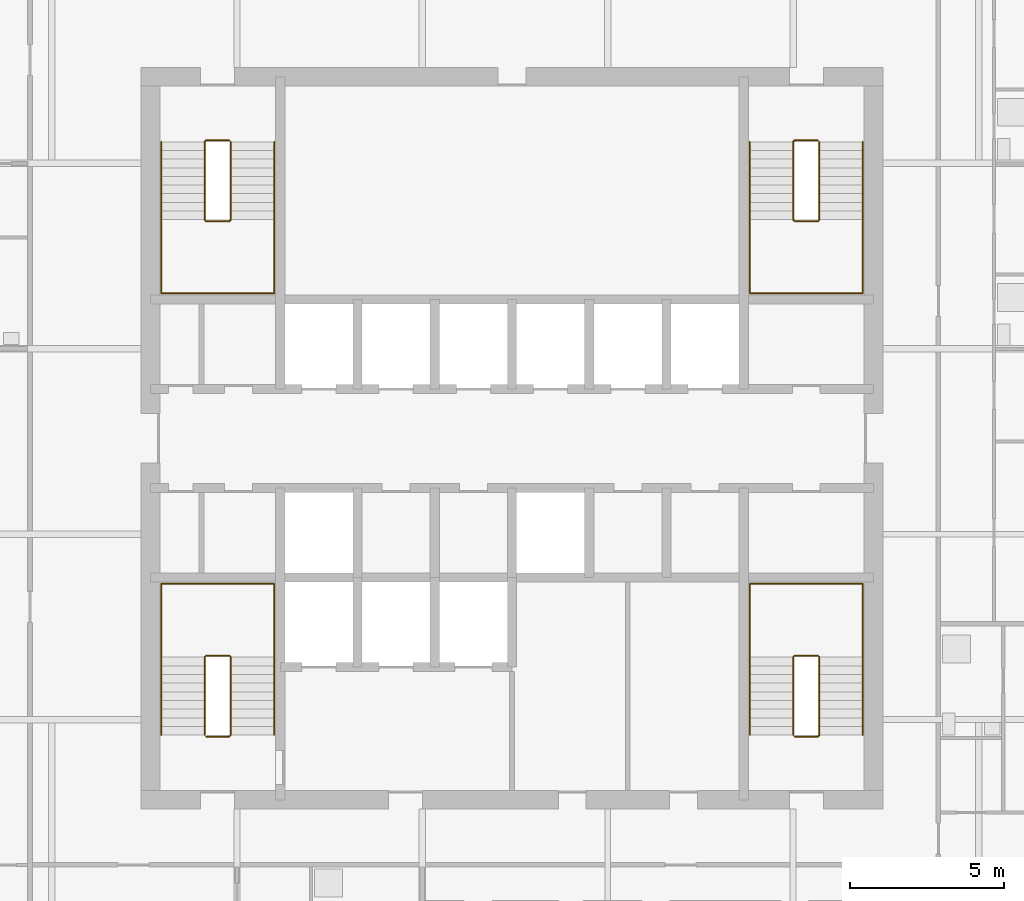
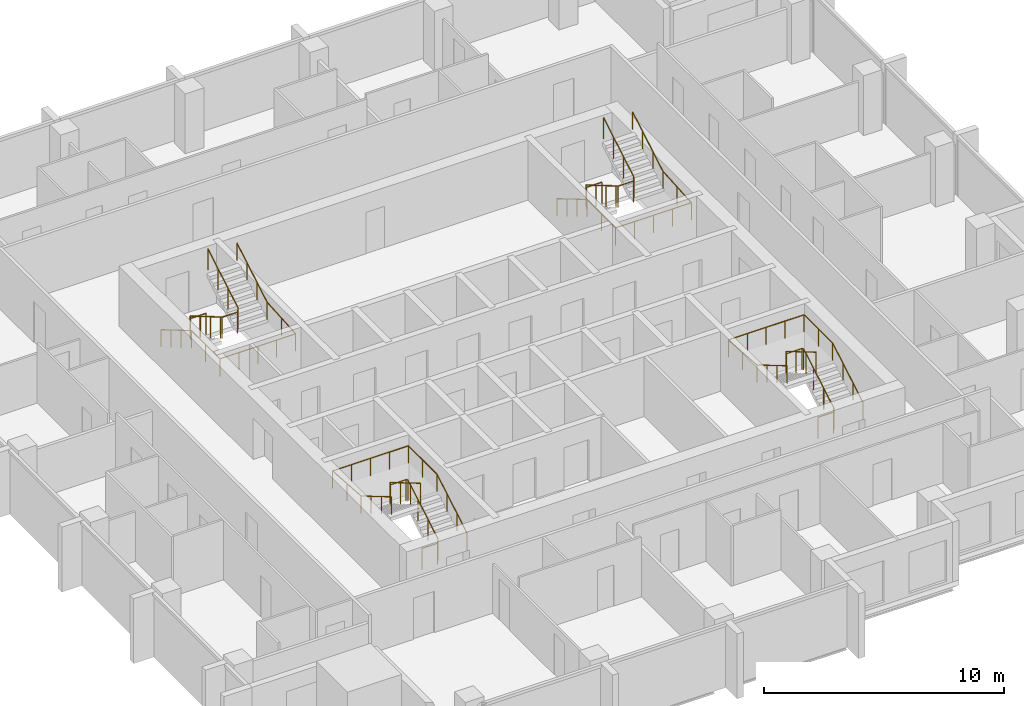
# One storey, part 9 of 10: 8 railings.
"""IFC4 building model written with IfcOpenShell, lengths in metres."""

from ifc_helpers import new_model, si_unit, direction, frame, origin, origin_2d, place, context, subcontext, project, spatial, circle, extrude, material, type_object, element, save


model = new_model("IFC4")

# Units and contexts
model_context = context("Model", 3, precision=1e-05, world=origin(), true_north=direction((0.0, 1.0)))
body_context = subcontext(model_context, "Body", "Model", "MODEL_VIEW")
ifc_project = project(units=[si_unit("LENGTHUNIT", "METRE"), si_unit("AREAUNIT", "SQUARE_METRE"), si_unit("VOLUMEUNIT", "CUBIC_METRE"), si_unit("PLANEANGLEUNIT", "RADIAN"), si_unit("MASSUNIT", "GRAM", prefix="KILO")], contexts=[model_context])

# Site, building, storey
site_placement = place(None, origin())
site = spatial("IfcSite", under=ifc_project, at=site_placement, CompositionType="ELEMENT")
building_placement = place(site_placement, origin())
building = spatial("IfcBuilding", under=site, at=building_placement, Name="Amberfall Residences", CompositionType="ELEMENT")
storey_placement = place(building_placement, frame((0.0, 0.0, 190.300048828125)))
storey = spatial("IfcBuildingStorey", under=building, at=storey_placement, Name="L50", CompositionType="ELEMENT", Elevation=190.300048828125)

# Railings
ifc_material = material(Name="Stainless steel 316", Category="steel")
railing_type_1 = type_object("IfcRailingType", Name="Stair guard 1100", PredefinedType="GUARDRAIL", material=ifc_material)
railing_1_placement = place(storey_placement, frame((64.60009765625, 35.85009765625, 0.0)))
element("IfcRailing", 1, at=railing_1_placement, inside=storey, type_object=railing_type_1, Name="L50 stair 1 guard", PredefinedType="GUARDRAIL", context=body_context, shape_type="SweptSolid", body=[
    extrude(circle(Radius=0.02392578125, at=origin_2d()), frame((0.0, 0.0, 1.076171875), z_axis=(1.0, 0.0, 0.0), x_axis=(0.0, 1.0, 0.0)), (0.0, 0.0, 1.0), 0.75),
    extrude(circle(Radius=0.02392578125, at=origin_2d()), frame((0.75, 0.0, 1.076171875), z_axis=(0.27755538755, 0.27755538755, 0.919742362667), x_axis=(-0.707106781187, 0.707106781187, 0.0)), (0.0, 0.0, 1.0), 0.179443359375),
    extrude(circle(Radius=0.02392578125, at=origin_2d()), frame((0.7998046875, 0.0498046875, 1.2412109375), z_axis=(0.0, 0.861560626758, 0.507654692109), x_axis=(-1.0, 0.0, 0.0)), (0.0, 0.0, 1.0), 2.925048828125),
    extrude(circle(Radius=0.02392578125, at=origin_2d()), frame((0.7998046875, 2.56982421875, 2.72607421875), z_axis=(-0.705375805398, 0.708833529934, 0.0), x_axis=(-0.708833529934, -0.705375805398, 0.0)), (0.0, 0.0, 1.0), 0.070556640625),
    extrude(circle(Radius=0.02392578125, at=origin_2d()), frame((0.75, 2.619873046875, 2.72607421875), z_axis=(-1.0, 0.0, 0.0), x_axis=(0.0, -1.0, 0.0)), (0.0, 0.0, 1.0), 0.75),
    extrude(circle(Radius=0.02392578125, at=origin_2d()), frame((0.0, 2.619873046875, 2.72607421875), z_axis=(-0.278705021027, -0.278705021027, 0.919046801044), x_axis=(0.707106781187, -0.707106781187, 0.0)), (0.0, 0.0, 1.0), 0.1796875),
    extrude(circle(Radius=0.02392578125, at=origin_2d()), frame((-0.050048828125, 2.56982421875, 2.89111328125), z_axis=(0.0, -0.86152411907, 0.507716645641), x_axis=(1.0, 0.0, 0.0)), (0.0, 0.0, 1.0), 2.925048828125),
    extrude(circle(Radius=0.02099609375, at=origin_2d()), origin(), (0.0, 0.0, 1.0), 1.052001953125),
    extrude(circle(Radius=0.02099609375, at=origin_2d()), frame((0.75, 0.0, 0.0)), (0.0, 0.0, 1.0), 1.052001953125),
    extrude(circle(Radius=0.02099609375, at=origin_2d()), frame((0.7998046875, 0.0498046875, 0.1650390625)), (0.0, 0.0, 1.0), 1.052001953125),
    extrude(circle(Radius=0.02099609375, at=origin_2d()), frame((0.7998046875, 0.889892578125, 0.659912109375)), (0.0, 0.0, 1.0), 1.052001953125),
    extrude(circle(Radius=0.02099609375, at=origin_2d()), frame((0.7998046875, 1.729736328125, 1.155029296875)), (0.0, 0.0, 1.0), 1.052001953125),
    extrude(circle(Radius=0.02099609375, at=origin_2d()), frame((0.7998046875, 2.56982421875, 1.64990234375)), (0.0, 0.0, 1.0), 1.052001953125),
    extrude(circle(Radius=0.02099609375, at=origin_2d()), frame((0.75, 2.619873046875, 1.64990234375)), (0.0, 0.0, 1.0), 1.052001953125),
    extrude(circle(Radius=0.02099609375, at=origin_2d()), frame((0.0, 2.619873046875, 1.64990234375)), (0.0, 0.0, 1.0), 1.052001953125),
    extrude(circle(Radius=0.02099609375, at=origin_2d()), frame((-0.050048828125, 2.56982421875, 1.81494140625)), (0.0, 0.0, 1.0), 1.052001953125),
    extrude(circle(Radius=0.02099609375, at=origin_2d()), frame((-0.050048828125, 1.729736328125, 2.31005859375)), (0.0, 0.0, 1.0), 1.052001953125),
    extrude(circle(Radius=0.02099609375, at=origin_2d()), frame((-0.050048828125, 0.889892578125, 2.804931640625)), (0.0, 0.0, 1.0), 1.052001953125),
    extrude(circle(Radius=0.02099609375, at=origin_2d()), frame((-0.050048828125, 0.0498046875, 3.300048828125)), (0.0, 0.0, 1.0), 1.052001953125),
])
railing_2_placement = place(storey_placement, frame((83.64990234375, 35.85009765625, 0.0)))
element("IfcRailing", 2, at=railing_2_placement, inside=storey, type_object=railing_type_1, Name="L50 stair 2 guard", PredefinedType="GUARDRAIL", context=body_context, shape_type="SweptSolid", body=[
    extrude(circle(Radius=0.02392578125, at=origin_2d()), frame((0.0, 0.0, 1.076171875), z_axis=(1.0, 0.0, 0.0), x_axis=(0.0, 1.0, 0.0)), (0.0, 0.0, 1.0), 0.75),
    extrude(circle(Radius=0.02392578125, at=origin_2d()), frame((0.75, 0.0, 1.076171875), z_axis=(0.278810427259, 0.277450376394, 0.919394384522), x_axis=(-0.705375805398, 0.708833529934, 0.0)), (0.0, 0.0, 1.0), 0.179443359375),
    extrude(circle(Radius=0.02392578125, at=origin_2d()), frame((0.800048828125, 0.0498046875, 1.2412109375), z_axis=(0.0, 0.861560626758, 0.507654692109), x_axis=(-1.0, 0.0, 0.0)), (0.0, 0.0, 1.0), 2.925048828125),
    extrude(circle(Radius=0.02392578125, at=origin_2d()), frame((0.800048828125, 2.56982421875, 2.72607421875), z_axis=(-0.707106781187, 0.707106781187, 0.0), x_axis=(-0.707106781187, -0.707106781187, 0.0)), (0.0, 0.0, 1.0), 0.07080078125),
    extrude(circle(Radius=0.02392578125, at=origin_2d()), frame((0.75, 2.619873046875, 2.72607421875), z_axis=(-1.0, 0.0, 0.0), x_axis=(0.0, -1.0, 0.0)), (0.0, 0.0, 1.0), 0.75),
    extrude(circle(Radius=0.02392578125, at=origin_2d()), frame((0.0, 2.619873046875, 2.72607421875), z_axis=(-0.277450376394, -0.278810427259, 0.919394384522), x_axis=(0.708833529934, -0.705375805398, 0.0)), (0.0, 0.0, 1.0), 0.179443359375),
    extrude(circle(Radius=0.02392578125, at=origin_2d()), frame((-0.0498046875, 2.56982421875, 2.89111328125), z_axis=(0.0, -0.86152411907, 0.507716645641), x_axis=(1.0, 0.0, 0.0)), (0.0, 0.0, 1.0), 2.925048828125),
    extrude(circle(Radius=0.02099609375, at=origin_2d()), origin(), (0.0, 0.0, 1.0), 1.052001953125),
    extrude(circle(Radius=0.02099609375, at=origin_2d()), frame((0.75, 0.0, 0.0)), (0.0, 0.0, 1.0), 1.052001953125),
    extrude(circle(Radius=0.02099609375, at=origin_2d()), frame((0.800048828125, 0.0498046875, 0.1650390625)), (0.0, 0.0, 1.0), 1.052001953125),
    extrude(circle(Radius=0.02099609375, at=origin_2d()), frame((0.800048828125, 0.889892578125, 0.659912109375)), (0.0, 0.0, 1.0), 1.052001953125),
    extrude(circle(Radius=0.02099609375, at=origin_2d()), frame((0.800048828125, 1.729736328125, 1.155029296875)), (0.0, 0.0, 1.0), 1.052001953125),
    extrude(circle(Radius=0.02099609375, at=origin_2d()), frame((0.800048828125, 2.56982421875, 1.64990234375)), (0.0, 0.0, 1.0), 1.052001953125),
    extrude(circle(Radius=0.02099609375, at=origin_2d()), frame((0.75, 2.619873046875, 1.64990234375)), (0.0, 0.0, 1.0), 1.052001953125),
    extrude(circle(Radius=0.02099609375, at=origin_2d()), frame((0.0, 2.619873046875, 1.64990234375)), (0.0, 0.0, 1.0), 1.052001953125),
    extrude(circle(Radius=0.02099609375, at=origin_2d()), frame((-0.0498046875, 2.56982421875, 1.81494140625)), (0.0, 0.0, 1.0), 1.052001953125),
    extrude(circle(Radius=0.02099609375, at=origin_2d()), frame((-0.0498046875, 1.729736328125, 2.31005859375)), (0.0, 0.0, 1.0), 1.052001953125),
    extrude(circle(Radius=0.02099609375, at=origin_2d()), frame((-0.0498046875, 0.889892578125, 2.804931640625)), (0.0, 0.0, 1.0), 1.052001953125),
    extrude(circle(Radius=0.02099609375, at=origin_2d()), frame((-0.0498046875, 0.0498046875, 3.300048828125)), (0.0, 0.0, 1.0), 1.052001953125),
])
railing_3_placement = place(storey_placement, frame((84.39990234375, 55.14990234375, 0.0)))
element("IfcRailing", 3, at=railing_3_placement, inside=storey, type_object=railing_type_1, Name="L50 stair 3 guard", PredefinedType="GUARDRAIL", context=body_context, shape_type="SweptSolid", body=[
    extrude(circle(Radius=0.02392578125, at=origin_2d()), frame((0.0, 0.0, 1.076171875), z_axis=(-1.0, 0.0, 0.0), x_axis=(0.0, -1.0, 0.0)), (0.0, 0.0, 1.0), 0.75),
    extrude(circle(Radius=0.02392578125, at=origin_2d()), frame((-0.75, 0.0, 1.076171875), z_axis=(-0.27755538755, -0.27755538755, 0.919742362667), x_axis=(0.707106781187, -0.707106781187, 0.0)), (0.0, 0.0, 1.0), 0.179443359375),
    extrude(circle(Radius=0.02392578125, at=origin_2d()), frame((-0.7998046875, -0.0498046875, 1.2412109375), z_axis=(0.0, -0.861560626758, 0.507654692109), x_axis=(1.0, 0.0, 0.0)), (0.0, 0.0, 1.0), 2.925048828125),
    extrude(circle(Radius=0.02392578125, at=origin_2d()), frame((-0.7998046875, -2.56982421875, 2.72607421875), z_axis=(0.705375805398, -0.708833529934, 0.0), x_axis=(0.708833529934, 0.705375805398, 0.0)), (0.0, 0.0, 1.0), 0.070556640625),
    extrude(circle(Radius=0.02392578125, at=origin_2d()), frame((-0.75, -2.619873046875, 2.72607421875), z_axis=(1.0, 0.0, 0.0), x_axis=(0.0, 1.0, 0.0)), (0.0, 0.0, 1.0), 0.75),
    extrude(circle(Radius=0.02392578125, at=origin_2d()), frame((0.0, -2.619873046875, 2.72607421875), z_axis=(0.278705021027, 0.278705021027, 0.919046801044), x_axis=(-0.707106781187, 0.707106781187, 0.0)), (0.0, 0.0, 1.0), 0.1796875),
    extrude(circle(Radius=0.02392578125, at=origin_2d()), frame((0.050048828125, -2.56982421875, 2.89111328125), z_axis=(0.0, 0.86152411907, 0.507716645641), x_axis=(-1.0, 0.0, 0.0)), (0.0, 0.0, 1.0), 2.925048828125),
    extrude(circle(Radius=0.02099609375, at=origin_2d()), origin(), (0.0, 0.0, 1.0), 1.052001953125),
    extrude(circle(Radius=0.02099609375, at=origin_2d()), frame((-0.75, 0.0, 0.0)), (0.0, 0.0, 1.0), 1.052001953125),
    extrude(circle(Radius=0.02099609375, at=origin_2d()), frame((-0.7998046875, -0.0498046875, 0.1650390625)), (0.0, 0.0, 1.0), 1.052001953125),
    extrude(circle(Radius=0.02099609375, at=origin_2d()), frame((-0.7998046875, -0.889892578125, 0.659912109375)), (0.0, 0.0, 1.0), 1.052001953125),
    extrude(circle(Radius=0.02099609375, at=origin_2d()), frame((-0.7998046875, -1.729736328125, 1.155029296875)), (0.0, 0.0, 1.0), 1.052001953125),
    extrude(circle(Radius=0.02099609375, at=origin_2d()), frame((-0.7998046875, -2.56982421875, 1.64990234375)), (0.0, 0.0, 1.0), 1.052001953125),
    extrude(circle(Radius=0.02099609375, at=origin_2d()), frame((-0.75, -2.619873046875, 1.64990234375)), (0.0, 0.0, 1.0), 1.052001953125),
    extrude(circle(Radius=0.02099609375, at=origin_2d()), frame((0.0, -2.619873046875, 1.64990234375)), (0.0, 0.0, 1.0), 1.052001953125),
    extrude(circle(Radius=0.02099609375, at=origin_2d()), frame((0.050048828125, -2.56982421875, 1.81494140625)), (0.0, 0.0, 1.0), 1.052001953125),
    extrude(circle(Radius=0.02099609375, at=origin_2d()), frame((0.050048828125, -1.729736328125, 2.31005859375)), (0.0, 0.0, 1.0), 1.052001953125),
    extrude(circle(Radius=0.02099609375, at=origin_2d()), frame((0.050048828125, -0.889892578125, 2.804931640625)), (0.0, 0.0, 1.0), 1.052001953125),
    extrude(circle(Radius=0.02099609375, at=origin_2d()), frame((0.050048828125, -0.0498046875, 3.300048828125)), (0.0, 0.0, 1.0), 1.052001953125),
])
railing_4_placement = place(storey_placement, frame((65.35009765625, 55.14990234375, 0.0)))
element("IfcRailing", 4, at=railing_4_placement, inside=storey, type_object=railing_type_1, Name="L50 stair 4 guard", PredefinedType="GUARDRAIL", context=body_context, shape_type="SweptSolid", body=[
    extrude(circle(Radius=0.02392578125, at=origin_2d()), frame((0.0, 0.0, 1.076171875), z_axis=(-1.0, 0.0, 0.0), x_axis=(0.0, -1.0, 0.0)), (0.0, 0.0, 1.0), 0.75),
    extrude(circle(Radius=0.02392578125, at=origin_2d()), frame((-0.75, 0.0, 1.076171875), z_axis=(-0.278810427259, -0.277450376394, 0.919394384522), x_axis=(0.705375805398, -0.708833529934, 0.0)), (0.0, 0.0, 1.0), 0.179443359375),
    extrude(circle(Radius=0.02392578125, at=origin_2d()), frame((-0.800048828125, -0.0498046875, 1.2412109375), z_axis=(0.0, -0.861560626758, 0.507654692109), x_axis=(1.0, 0.0, 0.0)), (0.0, 0.0, 1.0), 2.925048828125),
    extrude(circle(Radius=0.02392578125, at=origin_2d()), frame((-0.800048828125, -2.56982421875, 2.72607421875), z_axis=(0.707106781187, -0.707106781187, 0.0), x_axis=(0.707106781187, 0.707106781187, 0.0)), (0.0, 0.0, 1.0), 0.07080078125),
    extrude(circle(Radius=0.02392578125, at=origin_2d()), frame((-0.75, -2.619873046875, 2.72607421875), z_axis=(1.0, 0.0, 0.0), x_axis=(0.0, 1.0, 0.0)), (0.0, 0.0, 1.0), 0.75),
    extrude(circle(Radius=0.02392578125, at=origin_2d()), frame((0.0, -2.619873046875, 2.72607421875), z_axis=(0.277450376394, 0.278810427259, 0.919394384522), x_axis=(-0.708833529934, 0.705375805398, 0.0)), (0.0, 0.0, 1.0), 0.179443359375),
    extrude(circle(Radius=0.02392578125, at=origin_2d()), frame((0.0498046875, -2.56982421875, 2.89111328125), z_axis=(0.0, 0.86152411907, 0.507716645641), x_axis=(-1.0, 0.0, 0.0)), (0.0, 0.0, 1.0), 2.925048828125),
    extrude(circle(Radius=0.02099609375, at=origin_2d()), origin(), (0.0, 0.0, 1.0), 1.052001953125),
    extrude(circle(Radius=0.02099609375, at=origin_2d()), frame((-0.75, 0.0, 0.0)), (0.0, 0.0, 1.0), 1.052001953125),
    extrude(circle(Radius=0.02099609375, at=origin_2d()), frame((-0.800048828125, -0.0498046875, 0.1650390625)), (0.0, 0.0, 1.0), 1.052001953125),
    extrude(circle(Radius=0.02099609375, at=origin_2d()), frame((-0.800048828125, -0.889892578125, 0.659912109375)), (0.0, 0.0, 1.0), 1.052001953125),
    extrude(circle(Radius=0.02099609375, at=origin_2d()), frame((-0.800048828125, -1.729736328125, 1.155029296875)), (0.0, 0.0, 1.0), 1.052001953125),
    extrude(circle(Radius=0.02099609375, at=origin_2d()), frame((-0.800048828125, -2.56982421875, 1.64990234375)), (0.0, 0.0, 1.0), 1.052001953125),
    extrude(circle(Radius=0.02099609375, at=origin_2d()), frame((-0.75, -2.619873046875, 1.64990234375)), (0.0, 0.0, 1.0), 1.052001953125),
    extrude(circle(Radius=0.02099609375, at=origin_2d()), frame((0.0, -2.619873046875, 1.64990234375)), (0.0, 0.0, 1.0), 1.052001953125),
    extrude(circle(Radius=0.02099609375, at=origin_2d()), frame((0.0498046875, -2.56982421875, 1.81494140625)), (0.0, 0.0, 1.0), 1.052001953125),
    extrude(circle(Radius=0.02099609375, at=origin_2d()), frame((0.0498046875, -1.729736328125, 2.31005859375)), (0.0, 0.0, 1.0), 1.052001953125),
    extrude(circle(Radius=0.02099609375, at=origin_2d()), frame((0.0498046875, -0.889892578125, 2.804931640625)), (0.0, 0.0, 1.0), 1.052001953125),
    extrude(circle(Radius=0.02099609375, at=origin_2d()), frame((0.0498046875, -0.0498046875, 3.300048828125)), (0.0, 0.0, 1.0), 1.052001953125),
])
railing_type_2 = type_object("IfcRailingType", Name="Stair handrail 900", PredefinedType="HANDRAIL", material=ifc_material)
railing_5_placement = place(storey_placement, frame((66.800048828125, 35.89990234375, 0.1650390625)))
element("IfcRailing", 5, at=railing_5_placement, inside=storey, type_object=railing_type_2, Name="L50 stair 1 handrail", PredefinedType="HANDRAIL", context=body_context, shape_type="SweptSolid", body=[
    extrude(circle(Radius=0.02392578125, at=origin_2d()), frame((0.0, 0.0, 0.8759765625), z_axis=(0.0, 0.861560626758, 0.507654692109), x_axis=(-1.0, 0.0, 0.0)), (0.0, 0.0, 1.0), 2.925048828125),
    extrude(circle(Radius=0.02392578125, at=origin_2d()), frame((0.0, 2.52001953125, 2.36083984375), z_axis=(0.0, 1.0, 0.0), x_axis=(-1.0, 0.0, 0.0)), (0.0, 0.0, 1.0), 2.380126953125),
    extrude(circle(Radius=0.02392578125, at=origin_2d()), frame((0.0, 4.900146484375, 2.36083984375), z_axis=(-1.0, 0.0, 0.0), x_axis=(0.0, -1.0, 0.0)), (0.0, 0.0, 1.0), 3.650146484375),
    extrude(circle(Radius=0.02392578125, at=origin_2d()), frame((-3.650146484375, 4.900146484375, 2.36083984375), z_axis=(0.0, -0.997604585917, 0.069174346095), x_axis=(1.0, 0.0, 0.0)), (0.0, 0.0, 1.0), 2.3857421875),
    extrude(circle(Radius=0.02392578125, at=origin_2d()), frame((-3.650146484375, 2.52001953125, 2.52587890625), z_axis=(0.0, -0.86152411907, 0.507716645641), x_axis=(1.0, 0.0, 0.0)), (0.0, 0.0, 1.0), 2.925048828125),
    extrude(circle(Radius=0.02099609375, at=origin_2d()), origin(), (0.0, 0.0, 1.0), 0.851806640625),
    extrude(circle(Radius=0.02099609375, at=origin_2d()), frame((0.0, 0.840087890625, 0.494873046875)), (0.0, 0.0, 1.0), 0.851806640625),
    extrude(circle(Radius=0.02099609375, at=origin_2d()), frame((0.0, 1.679931640625, 0.989990234375)), (0.0, 0.0, 1.0), 0.851806640625),
    extrude(circle(Radius=0.02099609375, at=origin_2d()), frame((0.0, 2.52001953125, 1.48486328125)), (0.0, 0.0, 1.0), 0.851806640625),
    extrude(circle(Radius=0.02099609375, at=origin_2d()), frame((0.0, 3.7099609375, 1.48486328125)), (0.0, 0.0, 1.0), 0.851806640625),
    extrude(circle(Radius=0.02099609375, at=origin_2d()), frame((0.0, 4.900146484375, 1.48486328125)), (0.0, 0.0, 1.0), 0.851806640625),
    extrude(circle(Radius=0.02099609375, at=origin_2d()), frame((-0.91259765625, 4.900146484375, 1.48486328125)), (0.0, 0.0, 1.0), 0.851806640625),
    extrude(circle(Radius=0.02099609375, at=origin_2d()), frame((-1.8251953125, 4.900146484375, 1.48486328125)), (0.0, 0.0, 1.0), 0.851806640625),
    extrude(circle(Radius=0.02099609375, at=origin_2d()), frame((-2.737548828125, 4.900146484375, 1.48486328125)), (0.0, 0.0, 1.0), 0.851806640625),
    extrude(circle(Radius=0.02099609375, at=origin_2d()), frame((-3.650146484375, 4.900146484375, 1.48486328125)), (0.0, 0.0, 1.0), 0.851806640625),
    extrude(circle(Radius=0.02099609375, at=origin_2d()), frame((-3.650146484375, 3.7099609375, 1.5673828125)), (0.0, 0.0, 1.0), 0.851806640625),
    extrude(circle(Radius=0.02099609375, at=origin_2d()), frame((-3.650146484375, 2.52001953125, 1.64990234375)), (0.0, 0.0, 1.0), 0.851806640625),
    extrude(circle(Radius=0.02099609375, at=origin_2d()), frame((-3.650146484375, 1.679931640625, 2.14501953125)), (0.0, 0.0, 1.0), 0.851806640625),
    extrude(circle(Radius=0.02099609375, at=origin_2d()), frame((-3.650146484375, 0.840087890625, 2.639892578125)), (0.0, 0.0, 1.0), 0.851806640625),
    extrude(circle(Radius=0.02099609375, at=origin_2d()), frame((-3.650146484375, 0.0, 3.135009765625)), (0.0, 0.0, 1.0), 0.851806640625),
])
railing_6_placement = place(storey_placement, frame((85.85009765625, 35.89990234375, 0.1650390625)))
element("IfcRailing", 6, at=railing_6_placement, inside=storey, type_object=railing_type_2, Name="L50 stair 2 handrail", PredefinedType="HANDRAIL", context=body_context, shape_type="SweptSolid", body=[
    extrude(circle(Radius=0.02392578125, at=origin_2d()), frame((0.0, 0.0, 0.8759765625), z_axis=(0.0, 0.861560626758, 0.507654692109), x_axis=(-1.0, 0.0, 0.0)), (0.0, 0.0, 1.0), 2.925048828125),
    extrude(circle(Radius=0.02392578125, at=origin_2d()), frame((0.0, 2.52001953125, 2.36083984375), z_axis=(0.0, 1.0, 0.0), x_axis=(-1.0, 0.0, 0.0)), (0.0, 0.0, 1.0), 2.380126953125),
    extrude(circle(Radius=0.02392578125, at=origin_2d()), frame((0.0, 4.900146484375, 2.36083984375), z_axis=(-1.0, 0.0, 0.0), x_axis=(0.0, -1.0, 0.0)), (0.0, 0.0, 1.0), 3.650146484375),
    extrude(circle(Radius=0.02392578125, at=origin_2d()), frame((-3.650146484375, 4.900146484375, 2.36083984375), z_axis=(0.0, -0.997604585917, 0.069174346095), x_axis=(1.0, 0.0, 0.0)), (0.0, 0.0, 1.0), 2.3857421875),
    extrude(circle(Radius=0.02392578125, at=origin_2d()), frame((-3.650146484375, 2.52001953125, 2.52587890625), z_axis=(0.0, -0.86152411907, 0.507716645641), x_axis=(1.0, 0.0, 0.0)), (0.0, 0.0, 1.0), 2.925048828125),
    extrude(circle(Radius=0.02099609375, at=origin_2d()), origin(), (0.0, 0.0, 1.0), 0.851806640625),
    extrude(circle(Radius=0.02099609375, at=origin_2d()), frame((0.0, 0.840087890625, 0.494873046875)), (0.0, 0.0, 1.0), 0.851806640625),
    extrude(circle(Radius=0.02099609375, at=origin_2d()), frame((0.0, 1.679931640625, 0.989990234375)), (0.0, 0.0, 1.0), 0.851806640625),
    extrude(circle(Radius=0.02099609375, at=origin_2d()), frame((0.0, 2.52001953125, 1.48486328125)), (0.0, 0.0, 1.0), 0.851806640625),
    extrude(circle(Radius=0.02099609375, at=origin_2d()), frame((0.0, 3.7099609375, 1.48486328125)), (0.0, 0.0, 1.0), 0.851806640625),
    extrude(circle(Radius=0.02099609375, at=origin_2d()), frame((0.0, 4.900146484375, 1.48486328125)), (0.0, 0.0, 1.0), 0.851806640625),
    extrude(circle(Radius=0.02099609375, at=origin_2d()), frame((-0.91259765625, 4.900146484375, 1.48486328125)), (0.0, 0.0, 1.0), 0.851806640625),
    extrude(circle(Radius=0.02099609375, at=origin_2d()), frame((-1.8251953125, 4.900146484375, 1.48486328125)), (0.0, 0.0, 1.0), 0.851806640625),
    extrude(circle(Radius=0.02099609375, at=origin_2d()), frame((-2.737548828125, 4.900146484375, 1.48486328125)), (0.0, 0.0, 1.0), 0.851806640625),
    extrude(circle(Radius=0.02099609375, at=origin_2d()), frame((-3.650146484375, 4.900146484375, 1.48486328125)), (0.0, 0.0, 1.0), 0.851806640625),
    extrude(circle(Radius=0.02099609375, at=origin_2d()), frame((-3.650146484375, 3.7099609375, 1.5673828125)), (0.0, 0.0, 1.0), 0.851806640625),
    extrude(circle(Radius=0.02099609375, at=origin_2d()), frame((-3.650146484375, 2.52001953125, 1.64990234375)), (0.0, 0.0, 1.0), 0.851806640625),
    extrude(circle(Radius=0.02099609375, at=origin_2d()), frame((-3.650146484375, 1.679931640625, 2.14501953125)), (0.0, 0.0, 1.0), 0.851806640625),
    extrude(circle(Radius=0.02099609375, at=origin_2d()), frame((-3.650146484375, 0.840087890625, 2.639892578125)), (0.0, 0.0, 1.0), 0.851806640625),
    extrude(circle(Radius=0.02099609375, at=origin_2d()), frame((-3.650146484375, 0.0, 3.135009765625)), (0.0, 0.0, 1.0), 0.851806640625),
])
railing_7_placement = place(storey_placement, frame((82.199951171875, 55.10009765625, 0.1650390625)))
element("IfcRailing", 7, at=railing_7_placement, inside=storey, type_object=railing_type_2, Name="L50 stair 3 handrail", PredefinedType="HANDRAIL", context=body_context, shape_type="SweptSolid", body=[
    extrude(circle(Radius=0.02392578125, at=origin_2d()), frame((0.0, 0.0, 0.8759765625), z_axis=(0.0, -0.861560626758, 0.507654692109), x_axis=(1.0, 0.0, 0.0)), (0.0, 0.0, 1.0), 2.925048828125),
    extrude(circle(Radius=0.02392578125, at=origin_2d()), frame((0.0, -2.52001953125, 2.36083984375), z_axis=(0.0, -1.0, 0.0), x_axis=(1.0, 0.0, 0.0)), (0.0, 0.0, 1.0), 2.380126953125),
    extrude(circle(Radius=0.02392578125, at=origin_2d()), frame((0.0, -4.900146484375, 2.36083984375), z_axis=(1.0, 0.0, 0.0), x_axis=(0.0, 1.0, 0.0)), (0.0, 0.0, 1.0), 3.650146484375),
    extrude(circle(Radius=0.02392578125, at=origin_2d()), frame((3.650146484375, -4.900146484375, 2.36083984375), z_axis=(0.0, 0.997604585917, 0.069174346095), x_axis=(-1.0, 0.0, 0.0)), (0.0, 0.0, 1.0), 2.3857421875),
    extrude(circle(Radius=0.02392578125, at=origin_2d()), frame((3.650146484375, -2.52001953125, 2.52587890625), z_axis=(0.0, 0.86152411907, 0.507716645641), x_axis=(-1.0, 0.0, 0.0)), (0.0, 0.0, 1.0), 2.925048828125),
    extrude(circle(Radius=0.02099609375, at=origin_2d()), origin(), (0.0, 0.0, 1.0), 0.851806640625),
    extrude(circle(Radius=0.02099609375, at=origin_2d()), frame((0.0, -0.840087890625, 0.494873046875)), (0.0, 0.0, 1.0), 0.851806640625),
    extrude(circle(Radius=0.02099609375, at=origin_2d()), frame((0.0, -1.679931640625, 0.989990234375)), (0.0, 0.0, 1.0), 0.851806640625),
    extrude(circle(Radius=0.02099609375, at=origin_2d()), frame((0.0, -2.52001953125, 1.48486328125)), (0.0, 0.0, 1.0), 0.851806640625),
    extrude(circle(Radius=0.02099609375, at=origin_2d()), frame((0.0, -3.7099609375, 1.48486328125)), (0.0, 0.0, 1.0), 0.851806640625),
    extrude(circle(Radius=0.02099609375, at=origin_2d()), frame((0.0, -4.900146484375, 1.48486328125)), (0.0, 0.0, 1.0), 0.851806640625),
    extrude(circle(Radius=0.02099609375, at=origin_2d()), frame((0.91259765625, -4.900146484375, 1.48486328125)), (0.0, 0.0, 1.0), 0.851806640625),
    extrude(circle(Radius=0.02099609375, at=origin_2d()), frame((1.8251953125, -4.900146484375, 1.48486328125)), (0.0, 0.0, 1.0), 0.851806640625),
    extrude(circle(Radius=0.02099609375, at=origin_2d()), frame((2.737548828125, -4.900146484375, 1.48486328125)), (0.0, 0.0, 1.0), 0.851806640625),
    extrude(circle(Radius=0.02099609375, at=origin_2d()), frame((3.650146484375, -4.900146484375, 1.48486328125)), (0.0, 0.0, 1.0), 0.851806640625),
    extrude(circle(Radius=0.02099609375, at=origin_2d()), frame((3.650146484375, -3.7099609375, 1.5673828125)), (0.0, 0.0, 1.0), 0.851806640625),
    extrude(circle(Radius=0.02099609375, at=origin_2d()), frame((3.650146484375, -2.52001953125, 1.64990234375)), (0.0, 0.0, 1.0), 0.851806640625),
    extrude(circle(Radius=0.02099609375, at=origin_2d()), frame((3.650146484375, -1.679931640625, 2.14501953125)), (0.0, 0.0, 1.0), 0.851806640625),
    extrude(circle(Radius=0.02099609375, at=origin_2d()), frame((3.650146484375, -0.840087890625, 2.639892578125)), (0.0, 0.0, 1.0), 0.851806640625),
    extrude(circle(Radius=0.02099609375, at=origin_2d()), frame((3.650146484375, 0.0, 3.135009765625)), (0.0, 0.0, 1.0), 0.851806640625),
])
railing_8_placement = place(storey_placement, frame((63.14990234375, 55.10009765625, 0.1650390625)))
element("IfcRailing", 8, at=railing_8_placement, inside=storey, type_object=railing_type_2, Name="L50 stair 4 handrail", PredefinedType="HANDRAIL", context=body_context, shape_type="SweptSolid", body=[
    extrude(circle(Radius=0.02392578125, at=origin_2d()), frame((0.0, 0.0, 0.8759765625), z_axis=(0.0, -0.861560626758, 0.507654692109), x_axis=(1.0, 0.0, 0.0)), (0.0, 0.0, 1.0), 2.925048828125),
    extrude(circle(Radius=0.02392578125, at=origin_2d()), frame((0.0, -2.52001953125, 2.36083984375), z_axis=(0.0, -1.0, 0.0), x_axis=(1.0, 0.0, 0.0)), (0.0, 0.0, 1.0), 2.380126953125),
    extrude(circle(Radius=0.02392578125, at=origin_2d()), frame((0.0, -4.900146484375, 2.36083984375), z_axis=(1.0, 0.0, 0.0), x_axis=(0.0, 1.0, 0.0)), (0.0, 0.0, 1.0), 3.650146484375),
    extrude(circle(Radius=0.02392578125, at=origin_2d()), frame((3.650146484375, -4.900146484375, 2.36083984375), z_axis=(0.0, 0.997604585917, 0.069174346095), x_axis=(-1.0, 0.0, 0.0)), (0.0, 0.0, 1.0), 2.3857421875),
    extrude(circle(Radius=0.02392578125, at=origin_2d()), frame((3.650146484375, -2.52001953125, 2.52587890625), z_axis=(0.0, 0.86152411907, 0.507716645641), x_axis=(-1.0, 0.0, 0.0)), (0.0, 0.0, 1.0), 2.925048828125),
    extrude(circle(Radius=0.02099609375, at=origin_2d()), origin(), (0.0, 0.0, 1.0), 0.851806640625),
    extrude(circle(Radius=0.02099609375, at=origin_2d()), frame((0.0, -0.840087890625, 0.494873046875)), (0.0, 0.0, 1.0), 0.851806640625),
    extrude(circle(Radius=0.02099609375, at=origin_2d()), frame((0.0, -1.679931640625, 0.989990234375)), (0.0, 0.0, 1.0), 0.851806640625),
    extrude(circle(Radius=0.02099609375, at=origin_2d()), frame((0.0, -2.52001953125, 1.48486328125)), (0.0, 0.0, 1.0), 0.851806640625),
    extrude(circle(Radius=0.02099609375, at=origin_2d()), frame((0.0, -3.7099609375, 1.48486328125)), (0.0, 0.0, 1.0), 0.851806640625),
    extrude(circle(Radius=0.02099609375, at=origin_2d()), frame((0.0, -4.900146484375, 1.48486328125)), (0.0, 0.0, 1.0), 0.851806640625),
    extrude(circle(Radius=0.02099609375, at=origin_2d()), frame((0.91259765625, -4.900146484375, 1.48486328125)), (0.0, 0.0, 1.0), 0.851806640625),
    extrude(circle(Radius=0.02099609375, at=origin_2d()), frame((1.8251953125, -4.900146484375, 1.48486328125)), (0.0, 0.0, 1.0), 0.851806640625),
    extrude(circle(Radius=0.02099609375, at=origin_2d()), frame((2.737548828125, -4.900146484375, 1.48486328125)), (0.0, 0.0, 1.0), 0.851806640625),
    extrude(circle(Radius=0.02099609375, at=origin_2d()), frame((3.650146484375, -4.900146484375, 1.48486328125)), (0.0, 0.0, 1.0), 0.851806640625),
    extrude(circle(Radius=0.02099609375, at=origin_2d()), frame((3.650146484375, -3.7099609375, 1.5673828125)), (0.0, 0.0, 1.0), 0.851806640625),
    extrude(circle(Radius=0.02099609375, at=origin_2d()), frame((3.650146484375, -2.52001953125, 1.64990234375)), (0.0, 0.0, 1.0), 0.851806640625),
    extrude(circle(Radius=0.02099609375, at=origin_2d()), frame((3.650146484375, -1.679931640625, 2.14501953125)), (0.0, 0.0, 1.0), 0.851806640625),
    extrude(circle(Radius=0.02099609375, at=origin_2d()), frame((3.650146484375, -0.840087890625, 2.639892578125)), (0.0, 0.0, 1.0), 0.851806640625),
    extrude(circle(Radius=0.02099609375, at=origin_2d()), frame((3.650146484375, 0.0, 3.135009765625)), (0.0, 0.0, 1.0), 0.851806640625),
])

save(model, "model.ifc")
